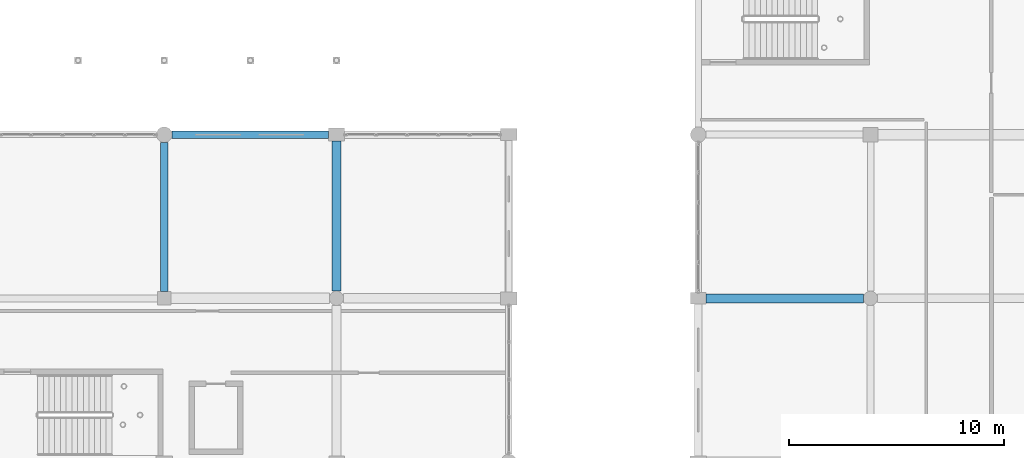
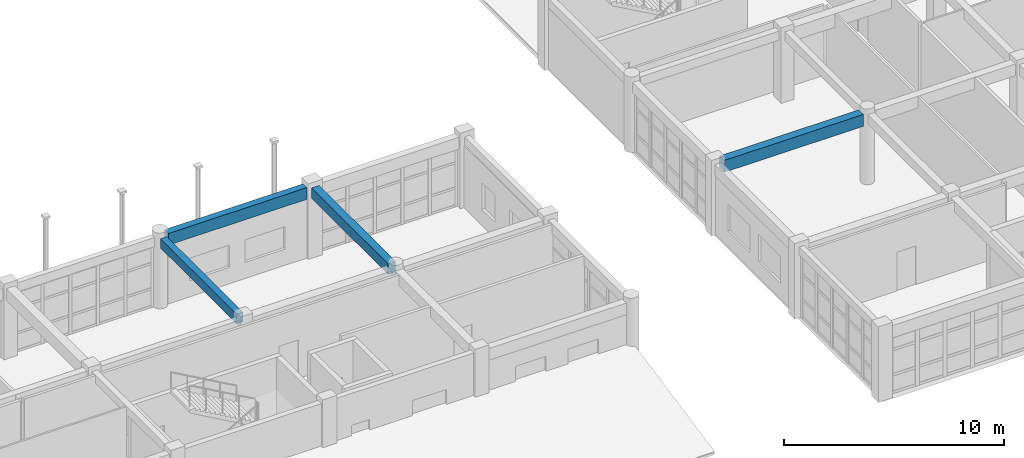
# One storey, part 79 of 195: 4 beams.
"""IFC4 building model written with IfcOpenShell, lengths in metres."""

from ifc_helpers import new_model, si_unit, direction, frame, origin, origin_2d, place, context, subcontext, project, spatial, rectangle, extrude, material, material_profile, profile_set, type_object, element, save


model = new_model("IFC4")

# Units and contexts
model_context = context("Model", 3, precision=1e-05, world=origin(), true_north=direction((0.0, 1.0)))
body_context = subcontext(model_context, "Body", "Model", "MODEL_VIEW")
ifc_project = project(units=[si_unit("LENGTHUNIT", "METRE"), si_unit("AREAUNIT", "SQUARE_METRE"), si_unit("VOLUMEUNIT", "CUBIC_METRE"), si_unit("PLANEANGLEUNIT", "RADIAN"), si_unit("MASSUNIT", "GRAM", prefix="KILO")], contexts=[model_context])

# Site, building, storey
site_placement = place(None, origin())
site = spatial("IfcSite", under=ifc_project, at=site_placement, CompositionType="ELEMENT")
building_placement = place(site_placement, origin())
building = spatial("IfcBuilding", under=site, at=building_placement, Name="Kharva Crest Polytechnic", CompositionType="ELEMENT")
storey_placement = place(building_placement, frame((0.0, 0.0, 9.0)))
storey = spatial("IfcBuildingStorey", under=building, at=storey_placement, Name="L02", CompositionType="ELEMENT", Elevation=9.0)

# Beams
ifc_material = material(Name="Concrete C35/45", Category="concrete")
ifc_material_profile_1 = material_profile(ifc_material, rectangle(XDim=0.340087890625, YDim=0.52001953125, at=origin_2d()), Name="RECT 340 X 520")
ifc_profile_set_1 = profile_set([ifc_material_profile_1], Name="Concrete C35/45")
beam_type_1 = type_object("IfcBeamType", Name="BM-RC-340X520", PredefinedType="BEAM", material=ifc_profile_set_1)
beam_1_placement = place(storey_placement, frame((96.0, 15.510009765625, 3.659912109375), z_axis=(0.0, 1.0, 0.0), x_axis=(-1.0, 0.0, 0.0)))
element("IfcBeam", 1, at=beam_1_placement, inside=storey, type_object=beam_type_1, Name="L02 Girder 13/C-D", PredefinedType="BEAM", context=body_context, shape_type="SweptSolid", body=[
    extrude(rectangle(XDim=0.340087890625, YDim=0.52001953125, at=origin_2d()), origin(), (0.0, 0.0, 1.0), 6.929931640625),
])
ifc_material_profile_2 = material_profile(ifc_material, rectangle(XDim=0.39990234375, YDim=0.580078125, at=origin_2d()), Name="RECT 400 X 580")
ifc_profile_set_2 = profile_set([ifc_material_profile_2], Name="Concrete C35/45")
beam_type_2 = type_object("IfcBeamType", Name="BM-RC-400X580", PredefinedType="BEAM", material=ifc_profile_set_2)
beam_2_placement = place(storey_placement, frame((104.0, 15.530029296875, 3.6298828125), z_axis=(0.0, 1.0, 0.0), x_axis=(-1.0, 0.0, 0.0)))
element("IfcBeam", 2, at=beam_2_placement, inside=storey, type_object=beam_type_2, Name="L02 Girder 14/C-D", PredefinedType="BEAM", context=body_context, shape_type="SweptSolid", body=[
    extrude(rectangle(XDim=0.39990234375, YDim=0.580078125, at=origin_2d()), origin(), (0.0, 0.0, 1.0), 6.969970703125),
])
ifc_material_profile_3 = material_profile(ifc_material, rectangle(XDim=0.419921875, YDim=0.659912109375, at=origin_2d()), Name="RECT 420 X 660")
ifc_profile_set_3 = profile_set([ifc_material_profile_3], Name="Concrete C35/45")
beam_type_3 = type_object("IfcBeamType", Name="BM-RC-420X660", PredefinedType="BEAM", material=ifc_profile_set_3)
beam_3_placement = place(storey_placement, frame((121.159912109375, 15.199951171875, 3.590087890625), z_axis=(1.0, 0.0, 0.0), x_axis=(0.0, 1.0, 0.0)))
element("IfcBeam", 3, at=beam_3_placement, inside=storey, type_object=beam_type_3, Name="L02 Beam C/16J-17", PredefinedType="BEAM", context=body_context, shape_type="SweptSolid", body=[
    extrude(rectangle(XDim=0.419921875, YDim=0.659912109375, at=origin_2d()), origin(), (0.0, 0.0, 1.0), 7.31005859375),
])
ifc_material_profile_4 = material_profile(ifc_material, rectangle(XDim=0.360107421875, YDim=0.64990234375, at=origin_2d()), Name="RECT 360 X 650")
ifc_profile_set_4 = profile_set([ifc_material_profile_4], Name="Concrete C35/45")
beam_type_4 = type_object("IfcBeamType", Name="SP-RC-360X650", PredefinedType="SPANDREL", material=ifc_profile_set_4)
beam_4_placement = place(storey_placement, frame((96.360107421875, 22.800048828125, 3.594970703125), z_axis=(1.0, 0.0, 0.0), x_axis=(0.0, 1.0, 0.0)))
element("IfcBeam", 4, at=beam_4_placement, inside=storey, type_object=beam_type_4, Name="L02 Beam D/13-14", PredefinedType="SPANDREL", context=body_context, shape_type="SweptSolid", body=[
    extrude(rectangle(XDim=0.360107421875, YDim=0.64990234375, at=origin_2d()), origin(), (0.0, 0.0, 1.0), 7.264892578125),
])

save(model, "model.ifc")
